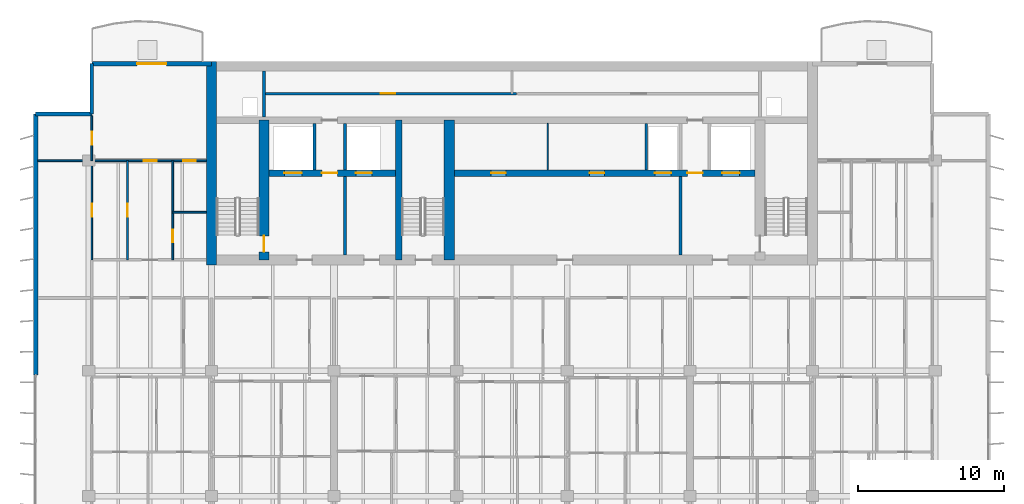
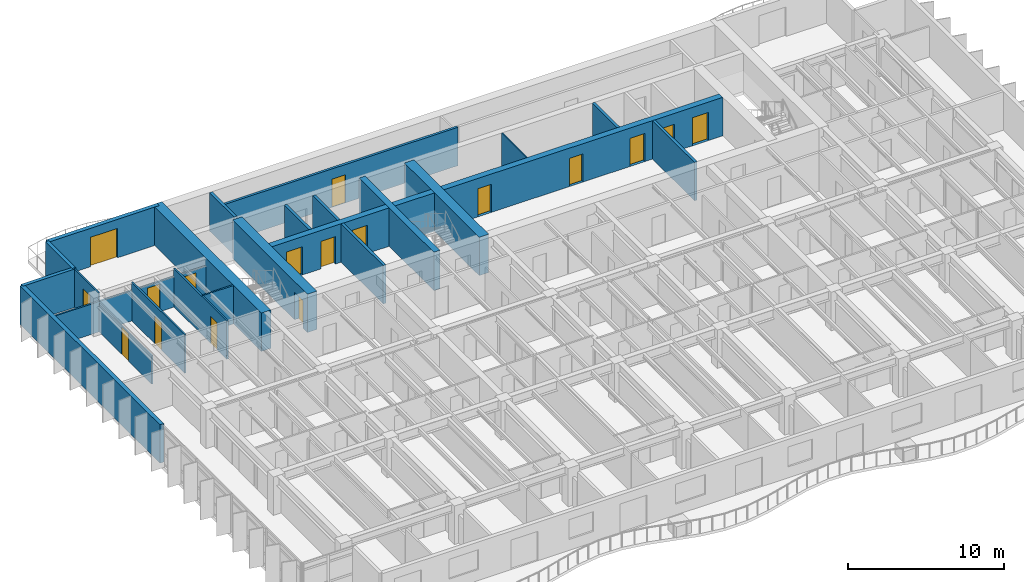
# One storey, part 13 of 19: 23 walls, 17 doors, 17 openings.
"""IFC4 building model written with IfcOpenShell, lengths in metres."""

import ifcopenshell
import ifcopenshell.guid

model = None  # the IFC model being written
_history = None  # IfcOwnerHistory: only IFC2X3 demands one
_inside = {}  # id of a spatial element -> (the spatial element, [elements in it])
_under = {}  # id of a project, library or spatial element -> (it, [spatial elements below it])
_declared = {}  # id of a project -> (the project, [libraries it declares])
_typed = {}  # id of a type object -> (the type object, [elements of that type])
_made_of = {}  # id of a material, layer set ... -> (it, [elements and type objects made of it])


def new_model(schema):
    """Start an empty IFC model of exactly this schema.

    Asked for "IFC4X3", IfcOpenShell would pick the latest addendum, in which some entities
    have other attributes; the version numbers below select the first issue.
    IFC2X3 requires an IfcOwnerHistory on every rooted entity: one is made here for all.
    """
    global model, _history
    if schema == "IFC4X3":
        model = ifcopenshell.file(schema_version=(4, 3, 0, 0))
    else:
        model = ifcopenshell.file(schema=schema)
    _inside.clear()
    _under.clear()
    _declared.clear()
    _typed.clear()
    _made_of.clear()
    _history = None
    if model.schema == "IFC2X3":
        org = make("IfcOrganization", Name="unknown")
        user = make(
            "IfcPersonAndOrganization",
            ThePerson=make("IfcPerson", FamilyName="unknown"),
            TheOrganization=org,
        )
        app = make(
            "IfcApplication",
            ApplicationDeveloper=org,
            Version="unknown",
            ApplicationFullName="unknown",
            ApplicationIdentifier="unknown",
        )
        _history = make(
            "IfcOwnerHistory",
            OwningUser=user,
            OwningApplication=app,
            ChangeAction="ADDED",
            CreationDate=0,
        )
    return model


def make(cls, **values):
    """One entity of the class cls with the attributes given. An attribute that is None is left unset."""
    return model.create_entity(
        cls, **{name: value for name, value in values.items() if value is not None}
    )


def rooted(cls, **values):
    """An entity with a GlobalId (a new one), such as an element, a storey or a relation."""
    return make(cls, GlobalId=ifcopenshell.guid.new(), OwnerHistory=_history, **values)


def si_unit(unit_type, name, prefix=None):
    """IfcSIUnit, for example si_unit("LENGTHUNIT", "METRE", prefix="MILLI")."""
    return make("IfcSIUnit", UnitType=unit_type, Prefix=prefix, Name=name)


def assignment(units):
    """IfcUnitAssignment: the units of a project."""
    return None if units is None else make("IfcUnitAssignment", Units=units)


def point(xyz):
    """IfcCartesianPoint."""
    return None if xyz is None else make("IfcCartesianPoint", Coordinates=xyz)


def direction(xyz):
    """IfcDirection."""
    return None if xyz is None else make("IfcDirection", DirectionRatios=xyz)


def frame(location, z_axis=None, x_axis=None):
    """IfcAxis2Placement3D, a coordinate frame: its origin and axes. An axis left out is left unset."""
    return make(
        "IfcAxis2Placement3D",
        Location=point(location),
        Axis=direction(z_axis),
        RefDirection=direction(x_axis),
    )


def frame_2d(location, x_axis=None):
    """IfcAxis2Placement2D, a coordinate frame in the plane: its origin and x axis."""
    return make(
        "IfcAxis2Placement2D", Location=point(location), RefDirection=direction(x_axis)
    )


def origin():
    """The frame at (0, 0, 0) with its axes left unset."""
    return frame((0.0, 0.0, 0.0))


def place(relative_to, where):
    """IfcLocalPlacement: puts the frame where relative to a parent placement (None: the world)."""
    return make(
        "IfcLocalPlacement", PlacementRelTo=relative_to, RelativePlacement=where
    )


def context(
    kind, dimensions, precision=None, world=None, true_north=None, identifier=None
):
    """IfcGeometricRepresentationContext, for example the 3D "Model" context."""
    return make(
        "IfcGeometricRepresentationContext",
        ContextIdentifier=identifier,
        ContextType=kind,
        CoordinateSpaceDimension=dimensions,
        Precision=precision,
        WorldCoordinateSystem=world,
        TrueNorth=true_north,
    )


def subcontext(parent, identifier, kind, view, scale=None):
    """IfcGeometricRepresentationSubContext, for example "Body" below "Model"."""
    return make(
        "IfcGeometricRepresentationSubContext",
        ContextIdentifier=identifier,
        ContextType=kind,
        ParentContext=parent,
        TargetScale=scale,
        TargetView=view,
    )


def project(units=None, contexts=None):
    """IfcProject with its units and contexts."""
    return rooted(
        "IfcProject",
        Name="project",
        RepresentationContexts=contexts,
        UnitsInContext=assignment(units),
    )


def spatial(cls, under=None, at=None, **own):
    """A site, building, storey or space (cls), placed at a placement, below another one or the project."""
    s = rooted(cls, ObjectPlacement=at, **own)
    if under is not None:
        _under.setdefault(under.id(), (under, []))[1].append(s)
    return s


def profile(cls, at=None, kind="AREA", **sizes):
    """A parametric profile (cls). Its sizes go by their IFC names, for example OverallWidth=200.0."""
    return make(cls, ProfileType=kind, Position=at, **sizes)


def rectangle(**sizes):
    """IfcRectangleProfileDef."""
    return profile("IfcRectangleProfileDef", **sizes)


def extrude(swept, where, along, depth):
    """IfcExtrudedAreaSolid: the profile swept, set in the frame where, extruded along a direction by depth."""
    return make(
        "IfcExtrudedAreaSolid",
        SweptArea=swept,
        Position=where,
        ExtrudedDirection=direction(along),
        Depth=depth,
    )


def shape(context_of_items, identifier, shape_type, items):
    """IfcShapeRepresentation: the items that make up one representation, for example the "Body"."""
    return make(
        "IfcShapeRepresentation",
        ContextOfItems=context_of_items,
        RepresentationIdentifier=identifier,
        RepresentationType=shape_type,
        Items=items,
    )


def material(Name=None, Category=None):
    """IfcMaterial."""
    return make("IfcMaterial", Name=Name, Category=Category)


def layer(
    of_material, thickness, ventilated=None, Name=None, Category=None, Priority=None
):
    """IfcMaterialLayer: one layer of a wall or slab, of a material (None: an air gap)."""
    return make(
        "IfcMaterialLayer",
        Material=of_material,
        LayerThickness=thickness,
        IsVentilated=ventilated,
        Name=Name,
        Category=Category,
        Priority=Priority,
    )


def layer_set(layers, Name=None):
    """IfcMaterialLayerSet."""
    return make("IfcMaterialLayerSet", MaterialLayers=layers, LayerSetName=Name)


def made_of(thing, what):
    """Note that an element or type object is made of a material, layer set ...; save() writes the relation."""
    if what is not None:
        _made_of.setdefault(what.id(), (what, []))[1].append(thing)
    return thing


def type_object(cls, material=None, **own):
    """A type object (cls), such as IfcWallType, which elements share."""
    return made_of(rooted(cls, **own), material)


def element(
    cls,
    number,
    at=None,
    inside=None,
    cuts=None,
    type_object=None,
    material=None,
    context=None,
    identifier="Body",
    shape_type=None,
    held_by="IfcProductDefinitionShape",
    body=None,
    shapes=None,
    **own,
):
    """One element of the class cls, such as IfcWall. Its Tag is "e" and its number.

    at: its placement. inside: the storey or other place that contains it. cuts: it is an
    opening in that element (IfcRelVoidsElement). A single representation is given by context,
    identifier, shape_type and body (its items); several are given by shapes. held_by: the class
    of the entity that holds the representations. save() writes the other relations.
    """
    e = rooted(cls, Tag="e%d" % number, ObjectPlacement=at, **own)
    if body is not None:
        shapes = [shape(context, identifier, shape_type, body)]
    if shapes is not None:
        e.Representation = make(held_by, Representations=shapes)
    if inside is not None:
        _inside.setdefault(inside.id(), (inside, []))[1].append(e)
    if cuts is not None:
        rooted(
            "IfcRelVoidsElement", RelatingBuildingElement=cuts, RelatedOpeningElement=e
        )
    if type_object is not None:
        _typed.setdefault(type_object.id(), (type_object, []))[1].append(e)
    return made_of(e, material)


def fill(opening, filler):
    """IfcRelFillsElement: the door or window that sits in an opening."""
    return rooted(
        "IfcRelFillsElement",
        RelatingOpeningElement=opening,
        RelatedBuildingElement=filler,
    )


def aggregate(whole, parts):
    """IfcRelAggregates: a whole, such as a stair, and the parts it consists of."""
    return rooted("IfcRelAggregates", RelatingObject=whole, RelatedObjects=parts)


def save(model, path):
    """Write the relations noted so far, then the file.

    IfcRelAggregates (storeys below a building ...), IfcRelContainedInSpatialStructure (elements
    in a storey), IfcRelDefinesByType, IfcRelAssociatesMaterial and IfcRelDeclares: one each for
    every whole, place, type object, material and project.
    """
    for whole, parts in _under.values():
        aggregate(whole, parts)
    for where, things in _inside.values():
        rooted(
            "IfcRelContainedInSpatialStructure",
            RelatedElements=things,
            RelatingStructure=where,
        )
    for kind, things in _typed.values():
        rooted("IfcRelDefinesByType", RelatedObjects=things, RelatingType=kind)
    for what, things in _made_of.values():
        rooted("IfcRelAssociatesMaterial", RelatedObjects=things, RelatingMaterial=what)
    for by, libraries in _declared.values():
        rooted("IfcRelDeclares", RelatingContext=by, RelatedDefinitions=libraries)
    model.write(path)


model = new_model("IFC4")

# Units and contexts
model_context = context("Model", 3, precision=1e-05, world=origin(), true_north=direction((0.0, 1.0)))
body_context = subcontext(model_context, "Body", "Model", "MODEL_VIEW")
ifc_project = project(units=[si_unit("LENGTHUNIT", "METRE"), si_unit("AREAUNIT", "SQUARE_METRE"), si_unit("VOLUMEUNIT", "CUBIC_METRE"), si_unit("PLANEANGLEUNIT", "RADIAN"), si_unit("MASSUNIT", "GRAM", prefix="KILO")], contexts=[model_context])

# Site, building, storey
site_placement = place(None, origin())
site = spatial("IfcSite", under=ifc_project, at=site_placement, CompositionType="ELEMENT")
building_placement = place(site_placement, origin())
building = spatial("IfcBuilding", under=site, at=building_placement, Name="Caelmar Bay Residences", CompositionType="ELEMENT")
storey_placement = place(building_placement, frame((0.0, 0.0, 218.10009765625)))
storey = spatial("IfcBuildingStorey", under=building, at=storey_placement, Name="L61", CompositionType="ELEMENT", Elevation=218.10009765625)

# Wall
ifc_material_1 = material(Name="Concrete f'c 55 MPa (8,000 psi)", Category="concrete")
ifc_layer_1 = layer(ifc_material_1, 0.699951171875)
ifc_layer_set_1 = layer_set([ifc_layer_1], Name="Concrete f'c 55 MPa (8,000 psi)")
wall_type_1 = type_object("IfcWallType", Name="SW-COR-700", PredefinedType="SHEAR", material=ifc_layer_set_1)
wall_1_placement = place(storey_placement, frame((18.300048828125, 36.64990234375, 0.0), z_axis=(0.0, 0.0, 1.0), x_axis=(0.0, 1.0, 0.0)))
element("IfcWall", 1, at=wall_1_placement, inside=storey, type_object=wall_type_1, Name="L61 Rear Core West Shear Wall", PredefinedType="SHEAR", context=body_context, shape_type="SweptSolid", body=[
    extrude(rectangle(XDim=13.9501953125, YDim=0.699951171875, at=frame_2d((6.97509765625, 0.0))), origin(), (0.0, 0.0, 1.0), 3.0),
])

# Wall, opening, door
wall_2_placement = place(storey_placement, frame((21.89990234375, 37.0, 0.0), z_axis=(0.0, 0.0, 1.0), x_axis=(0.0, 1.0, 0.0)))
wall_2 = element("IfcWall", 2, at=wall_2_placement, inside=storey, type_object=wall_type_1, Name="L61 Core Structural Web Wall ST1E", PredefinedType="SHEAR", context=body_context, shape_type="SweptSolid", body=[
    extrude(rectangle(XDim=9.574951171875, YDim=0.699951171875, at=frame_2d((4.78759765625, 0.0))), origin(), (0.0, 0.0, 1.0), 3.0),
])
opening_1_placement = place(wall_2_placement, frame((0.550048828125, 0.0, 0.0)))
opening_1 = element("IfcOpeningElement", 3, at=opening_1_placement, cuts=wall_2, Name="Opening D-L61-107", PredefinedType="OPENING", context=body_context, shape_type="SweptSolid", body=[
    extrude(rectangle(XDim=1.10009765625, YDim=2.14990234375, at=frame_2d((0.550048828125, 1.074951171875))), frame((0.0, 0.35986328125, 0.0), z_axis=(0.0, -1.0, 0.0), x_axis=(1.0, 0.0, 0.0)), (0.0, 0.0, 1.0), 0.719970703125),
])
ifc_material_2 = material(Name="Fire-rated steel and walnut architectural door assembly", Category="steel")
ifc_layer_2 = layer(ifc_material_2, 0.050048828125)
ifc_layer_set_2 = layer_set([ifc_layer_2], Name="Fire-rated steel and walnut architectural door assembly")
door_type_1 = type_object("IfcDoorType", Name="D-STAIR-1100", OperationType="NOTDEFINED", PredefinedType="DOOR", material=ifc_layer_set_2)
door_1_placement = place(opening_1_placement, origin())
door_1 = element("IfcDoor", 4, at=door_1_placement, inside=storey, type_object=door_type_1, Name="L61 Firefighting Lobby West Door", OperationType="SINGLE_SWING_LEFT", OverallHeight=2.14990234375, OverallWidth=1.10009765625, PredefinedType="DOOR", context=body_context, shape_type="SweptSolid", body=[
    extrude(rectangle(XDim=1.10009765625, YDim=2.14990234375, at=frame_2d((0.550048828125, 1.074951171875))), frame((0.0, 0.02490234375, 0.0), z_axis=(0.0, -1.0, 0.0), x_axis=(1.0, 0.0, 0.0)), (0.0, 0.0, 1.0), 0.050048828125),
])
fill(opening_1, door_1)

# Walls
wall_3_placement = place(storey_placement, frame((34.60009765625, 37.0, 0.0), z_axis=(0.0, 0.0, 1.0), x_axis=(0.0, 1.0, 0.0)))
element("IfcWall", 5, at=wall_3_placement, inside=storey, type_object=wall_type_1, Name="L61 Core Structural Web Wall ST3E", PredefinedType="SHEAR", context=body_context, shape_type="SweptSolid", body=[
    extrude(rectangle(XDim=9.574951171875, YDim=0.699951171875, at=frame_2d((4.78759765625, 0.0))), origin(), (0.0, 0.0, 1.0), 3.0),
])
ifc_material_3 = material(Name="Concrete f'c 70 MPa (10,000 psi)", Category="concrete")
ifc_layer_3 = layer(ifc_material_3, 0.449951171875)
ifc_layer_set_3 = layer_set([ifc_layer_3], Name="Concrete f'c 70 MPa (10,000 psi)")
wall_type_2 = type_object("IfcWallType", Name="SW-WEB-450", PredefinedType="SHEAR", material=ifc_layer_set_3)
wall_4_placement = place(storey_placement, frame((31.125, 37.0, 0.0), z_axis=(0.0, 0.0, 1.0), x_axis=(0.0, 1.0, 0.0)))
element("IfcWall", 6, at=wall_4_placement, inside=storey, type_object=wall_type_2, Name="L61 Core Structural Web Wall ST3W", PredefinedType="SHEAR", context=body_context, shape_type="SweptSolid", body=[
    extrude(rectangle(XDim=9.574951171875, YDim=0.449951171875, at=frame_2d((4.78759765625, 0.0))), origin(), (0.0, 0.0, 1.0), 3.0),
])

# Wall, openings, doors
wall_5_placement = place(storey_placement, frame((22.25, 42.949951171875, 0.0), z_axis=(0.0, 0.0, 1.0), x_axis=(1.0, 0.0, 0.0)))
wall_5 = element("IfcWall", 7, at=wall_5_placement, inside=storey, type_object=wall_type_2, Name="L61 Core Structural Web Wall LFR", PredefinedType="SHEAR", context=body_context, shape_type="SweptSolid", body=[
    extrude(rectangle(XDim=33.300048828125, YDim=0.449951171875, at=frame_2d((16.64990234375, 0.0))), origin(), (0.0, 0.0, 1.0), 3.0),
])
opening_2_placement = place(wall_5_placement, frame((1.050048828125, 0.0, 0.0)))
opening_2 = element("IfcOpeningElement", 8, at=opening_2_placement, cuts=wall_5, Name="Opening LD2", PredefinedType="OPENING", context=body_context, shape_type="SweptSolid", body=[
    extrude(rectangle(XDim=1.199951171875, YDim=2.199951171875, at=frame_2d((0.60009765625, 1.10009765625))), frame((0.0, 0.23486328125, 0.0), z_axis=(0.0, -1.0, 0.0), x_axis=(1.0, 0.0, 0.0)), (0.0, 0.0, 1.0), 0.469970703125),
])
opening_3_placement = place(wall_5_placement, frame((31.050048828125, 0.0, 0.0)))
opening_3 = element("IfcOpeningElement", 9, at=opening_3_placement, cuts=wall_5, Name="Opening LD2", PredefinedType="OPENING", context=body_context, shape_type="SweptSolid", body=[
    extrude(rectangle(XDim=1.199951171875, YDim=2.199951171875, at=frame_2d((0.60009765625, 1.10009765625))), frame((0.0, 0.23486328125, 0.0), z_axis=(0.0, -1.0, 0.0), x_axis=(1.0, 0.0, 0.0)), (0.0, 0.0, 1.0), 0.469970703125),
])
opening_4_placement = place(wall_5_placement, frame((26.449951171875, 0.0, 0.0)))
opening_4 = element("IfcOpeningElement", 10, at=opening_4_placement, cuts=wall_5, Name="Opening LD1", PredefinedType="OPENING", context=body_context, shape_type="SweptSolid", body=[
    extrude(rectangle(XDim=1.10009765625, YDim=2.199951171875, at=frame_2d((0.550048828125, 1.10009765625))), frame((0.0, 0.23486328125, 0.0), z_axis=(0.0, -1.0, 0.0), x_axis=(1.0, 0.0, 0.0)), (0.0, 0.0, 1.0), 0.469970703125),
])
opening_5_placement = place(wall_5_placement, frame((5.949951171875, 0.0, 0.0)))
opening_5 = element("IfcOpeningElement", 11, at=opening_5_placement, cuts=wall_5, Name="Opening LD1", PredefinedType="OPENING", context=body_context, shape_type="SweptSolid", body=[
    extrude(rectangle(XDim=1.10009765625, YDim=2.199951171875, at=frame_2d((0.550048828125, 1.10009765625))), frame((0.0, 0.23486328125, 0.0), z_axis=(0.0, -1.0, 0.0), x_axis=(1.0, 0.0, 0.0)), (0.0, 0.0, 1.0), 0.469970703125),
])
opening_6_placement = place(wall_5_placement, frame((3.625, 0.0, 0.0)))
opening_6 = element("IfcOpeningElement", 12, at=opening_6_placement, cuts=wall_5, Name="Opening D-L61-108", PredefinedType="OPENING", context=body_context, shape_type="SweptSolid", body=[
    extrude(rectangle(XDim=1.050048828125, YDim=2.14990234375, at=frame_2d((0.52490234375, 1.074951171875))), frame((0.0, 0.23486328125, 0.0), z_axis=(0.0, -1.0, 0.0), x_axis=(1.0, 0.0, 0.0)), (0.0, 0.0, 1.0), 0.469970703125),
])
opening_7_placement = place(wall_5_placement, frame((28.675048828125, 0.0, 0.0)))
opening_7 = element("IfcOpeningElement", 13, at=opening_7_placement, cuts=wall_5, Name="Opening D-L61-111", PredefinedType="OPENING", context=body_context, shape_type="SweptSolid", body=[
    extrude(rectangle(XDim=1.050048828125, YDim=2.14990234375, at=frame_2d((0.52490234375, 1.074951171875))), frame((0.0, 0.23486328125, 0.0), z_axis=(0.0, -1.0, 0.0), x_axis=(1.0, 0.0, 0.0)), (0.0, 0.0, 1.0), 0.469970703125),
])
opening_8_placement = place(wall_5_placement, frame((15.22509765625, 0.0, 0.0)))
opening_8 = element("IfcOpeningElement", 14, at=opening_8_placement, cuts=wall_5, Name="Opening D-L61-114", PredefinedType="OPENING", context=body_context, shape_type="SweptSolid", body=[
    extrude(rectangle(XDim=1.0, YDim=2.199951171875, at=frame_2d((0.5, 1.10009765625))), frame((0.0, 0.23486328125, 0.0), z_axis=(0.0, -1.0, 0.0), x_axis=(1.0, 0.0, 0.0)), (0.0, 0.0, 1.0), 0.469970703125),
])
opening_9_placement = place(wall_5_placement, frame((21.97509765625, 0.0, 0.0)))
opening_9 = element("IfcOpeningElement", 15, at=opening_9_placement, cuts=wall_5, Name="Opening D-L61-115", PredefinedType="OPENING", context=body_context, shape_type="SweptSolid", body=[
    extrude(rectangle(XDim=1.0, YDim=2.199951171875, at=frame_2d((0.5, 1.10009765625))), frame((0.0, 0.23486328125, 0.0), z_axis=(0.0, -1.0, 0.0), x_axis=(1.0, 0.0, 0.0)), (0.0, 0.0, 1.0), 0.469970703125),
])
ifc_layer_4 = layer(ifc_material_2, 0.050048828125)
ifc_layer_set_4 = layer_set([ifc_layer_4], Name="Fire-rated steel and walnut architectural door assembly")
door_type_2 = type_object("IfcDoorType", Name="D-FSAE-1050", OperationType="NOTDEFINED", PredefinedType="DOOR", material=ifc_layer_set_4)
door_2_placement = place(opening_6_placement, origin())
door_2 = element("IfcDoor", 16, at=door_2_placement, inside=storey, type_object=door_type_2, Name="L61 Firefighting Lobby West Door", OperationType="SINGLE_SWING_RIGHT", OverallHeight=2.14990234375, OverallWidth=1.050048828125, PredefinedType="DOOR", context=body_context, shape_type="SweptSolid", body=[
    extrude(rectangle(XDim=1.050048828125, YDim=2.14990234375, at=frame_2d((0.52490234375, 1.074951171875))), frame((0.0, 0.02490234375, 0.0), z_axis=(0.0, -1.0, 0.0), x_axis=(1.0, 0.0, 0.0)), (0.0, 0.0, 1.0), 0.050048828125),
])
fill(opening_6, door_2)
door_3_placement = place(opening_7_placement, origin())
door_3 = element("IfcDoor", 17, at=door_3_placement, inside=storey, type_object=door_type_2, Name="L61 Firefighting Lobby East Door", OperationType="SINGLE_SWING_LEFT", OverallHeight=2.14990234375, OverallWidth=1.050048828125, PredefinedType="DOOR", context=body_context, shape_type="SweptSolid", body=[
    extrude(rectangle(XDim=1.050048828125, YDim=2.14990234375, at=frame_2d((0.52490234375, 1.074951171875))), frame((0.0, 0.02490234375, 0.0), z_axis=(0.0, -1.0, 0.0), x_axis=(1.0, 0.0, 0.0)), (0.0, 0.0, 1.0), 0.050048828125),
])
fill(opening_7, door_3)
ifc_material_4 = material(Name="Brushed bronze stainless-steel fire-rated lift landing doors", Category="steel")
ifc_layer_5 = layer(ifc_material_4, 0.050048828125)
ifc_layer_set_5 = layer_set([ifc_layer_5], Name="Brushed bronze stainless-steel fire-rated lift landing doors")
door_type_3 = type_object("IfcDoorType", Name="D-LND-1100", OperationType="DOUBLE_DOOR_SLIDING", PredefinedType="DOOR", material=ifc_layer_set_5)
door_4_placement = place(opening_4_placement, origin())
door_4 = element("IfcDoor", 18, at=door_4_placement, inside=storey, type_object=door_type_3, Name="L61 LP6 Sliding Landing Door", OperationType="DOUBLE_DOOR_SLIDING", OverallHeight=2.199951171875, OverallWidth=1.10009765625, PredefinedType="DOOR", context=body_context, shape_type="SweptSolid", body=[
    extrude(rectangle(XDim=1.10009765625, YDim=2.199951171875, at=frame_2d((0.550048828125, 1.10009765625))), frame((0.0, 0.02490234375, 0.0), z_axis=(0.0, -1.0, 0.0), x_axis=(1.0, 0.0, 0.0)), (0.0, 0.0, 1.0), 0.050048828125),
])
fill(opening_4, door_4)
door_5_placement = place(opening_5_placement, origin())
door_5 = element("IfcDoor", 19, at=door_5_placement, inside=storey, type_object=door_type_3, Name="L61 LP7 Sliding Landing Door", OperationType="DOUBLE_DOOR_SLIDING", OverallHeight=2.199951171875, OverallWidth=1.10009765625, PredefinedType="DOOR", context=body_context, shape_type="SweptSolid", body=[
    extrude(rectangle(XDim=1.10009765625, YDim=2.199951171875, at=frame_2d((0.550048828125, 1.10009765625))), frame((0.0, 0.02490234375, 0.0), z_axis=(0.0, -1.0, 0.0), x_axis=(1.0, 0.0, 0.0)), (0.0, 0.0, 1.0), 0.050048828125),
])
fill(opening_5, door_5)
ifc_material_5 = material(Name="Brushed stainless-steel FSAE sliding landing door", Category="steel")
ifc_layer_6 = layer(ifc_material_5, 0.050048828125)
ifc_layer_set_6 = layer_set([ifc_layer_6], Name="Brushed stainless-steel FSAE sliding landing door")
door_type_4 = type_object("IfcDoorType", Name="D-LND-1200", OperationType="DOUBLE_DOOR_SLIDING", PredefinedType="DOOR", material=ifc_layer_set_6)
door_6_placement = place(opening_2_placement, origin())
door_6 = element("IfcDoor", 20, at=door_6_placement, inside=storey, type_object=door_type_4, Name="L61 LF1 Sliding Landing Door", OperationType="DOUBLE_DOOR_SLIDING", OverallHeight=2.199951171875, OverallWidth=1.199951171875, PredefinedType="DOOR", context=body_context, shape_type="SweptSolid", body=[
    extrude(rectangle(XDim=1.199951171875, YDim=2.199951171875, at=frame_2d((0.60009765625, 1.10009765625))), frame((0.0, 0.02490234375, 0.0), z_axis=(0.0, -1.0, 0.0), x_axis=(1.0, 0.0, 0.0)), (0.0, 0.0, 1.0), 0.050048828125),
])
fill(opening_2, door_6)
door_7_placement = place(opening_3_placement, origin())
door_7 = element("IfcDoor", 21, at=door_7_placement, inside=storey, type_object=door_type_4, Name="L61 LF2 Sliding Landing Door", OperationType="DOUBLE_DOOR_SLIDING", OverallHeight=2.199951171875, OverallWidth=1.199951171875, PredefinedType="DOOR", context=body_context, shape_type="SweptSolid", body=[
    extrude(rectangle(XDim=1.199951171875, YDim=2.199951171875, at=frame_2d((0.60009765625, 1.10009765625))), frame((0.0, 0.02490234375, 0.0), z_axis=(0.0, -1.0, 0.0), x_axis=(1.0, 0.0, 0.0)), (0.0, 0.0, 1.0), 0.050048828125),
])
fill(opening_3, door_7)
ifc_layer_7 = layer(ifc_material_2, 0.050048828125)
ifc_layer_set_7 = layer_set([ifc_layer_7], Name="Fire-rated steel and walnut architectural door assembly")
door_type_5 = type_object("IfcDoorType", Name="D-UNIT-1000", OperationType="NOTDEFINED", PredefinedType="DOOR", material=ifc_layer_set_7)
door_8_placement = place(opening_8_placement, origin())
door_8 = element("IfcDoor", 22, at=door_8_placement, inside=storey, type_object=door_type_5, Name="L61 Collector Study Door", OperationType="SINGLE_SWING_RIGHT", OverallHeight=2.199951171875, OverallWidth=1.0, PredefinedType="DOOR", context=body_context, shape_type="SweptSolid", body=[
    extrude(rectangle(XDim=1.0, YDim=2.199951171875, at=frame_2d((0.5, 1.10009765625))), frame((0.0, 0.02490234375, 0.0), z_axis=(0.0, -1.0, 0.0), x_axis=(1.0, 0.0, 0.0)), (0.0, 0.0, 1.0), 0.050048828125),
])
fill(opening_8, door_8)
door_9_placement = place(opening_9_placement, origin())
door_9 = element("IfcDoor", 23, at=door_9_placement, inside=storey, type_object=door_type_5, Name="L61 Private Dining Room Door", OperationType="SINGLE_SWING_LEFT", OverallHeight=2.199951171875, OverallWidth=1.0, PredefinedType="DOOR", context=body_context, shape_type="SweptSolid", body=[
    extrude(rectangle(XDim=1.0, YDim=2.199951171875, at=frame_2d((0.5, 1.10009765625))), frame((0.0, 0.02490234375, 0.0), z_axis=(0.0, -1.0, 0.0), x_axis=(1.0, 0.0, 0.0)), (0.0, 0.0, 1.0), 0.050048828125),
])
fill(opening_9, door_9)

# Wall, opening, door
ifc_material_6 = material(Name="Double-stud acoustic fire-rated gypsum partition 180 mm")
ifc_layer_8 = layer(ifc_material_6, 0.179931640625)
ifc_layer_set_8 = layer_set([ifc_layer_8], Name="Double-stud acoustic fire-rated gypsum partition 180 mm")
wall_type_3 = type_object("IfcWallType", Name="W-COR-200", PredefinedType="PARTITIONING", material=ifc_layer_set_8)
wall_6_placement = place(storey_placement, frame((21.89990234375, 48.39990234375, 0.0), z_axis=(0.0, 0.0, 1.0), x_axis=(1.0, 0.0, 0.0)))
wall_6 = element("IfcWall", 24, at=wall_6_placement, inside=storey, type_object=wall_type_3, Name="L61 Partition Wall H136", PredefinedType="PARTITIONING", context=body_context, shape_type="SweptSolid", body=[
    extrude(rectangle(XDim=17.30419921875, YDim=0.179931640625, at=frame_2d((8.652099609375, 0.0))), origin(), (0.0, 0.0, 1.0), 3.0),
])
opening_10_placement = place(wall_6_placement, frame((8.0, 0.0, 0.0)))
opening_10 = element("IfcOpeningElement", 25, at=opening_10_placement, cuts=wall_6, Name="Opening D-L61-118", PredefinedType="OPENING", context=body_context, shape_type="SweptSolid", body=[
    extrude(rectangle(XDim=1.0, YDim=2.199951171875, at=frame_2d((0.5, 1.10009765625))), frame((0.0, 0.099853515625, 0.0), z_axis=(0.0, -1.0, 0.0), x_axis=(1.0, 0.0, 0.0)), (0.0, 0.0, 1.0), 0.199951171875),
])
door_10_placement = place(opening_10_placement, origin())
door_10 = element("IfcDoor", 26, at=door_10_placement, inside=storey, type_object=door_type_5, Name="L61 Building Management Office Door", OperationType="SINGLE_SWING_RIGHT", OverallHeight=2.199951171875, OverallWidth=1.0, PredefinedType="DOOR", context=body_context, shape_type="SweptSolid", body=[
    extrude(rectangle(XDim=1.0, YDim=2.199951171875, at=frame_2d((0.5, 1.10009765625))), frame((0.0, 0.02490234375, 0.0), z_axis=(0.0, -1.0, 0.0), x_axis=(1.0, 0.0, 0.0)), (0.0, 0.0, 1.0), 0.050048828125),
])
fill(opening_10, door_10)

# Walls
ifc_material_7 = material(Name="Precast concrete f'c 40 MPa (6,000 psi)", Category="concrete")
ifc_layer_9 = layer(ifc_material_7, 0.25)
ifc_layer_set_9 = layer_set([ifc_layer_9], Name="Precast concrete f'c 40 MPa (6,000 psi)")
wall_type_4 = type_object("IfcWallType", Name="W-EXT-250", PredefinedType="ELEMENTEDWALL", material=ifc_layer_set_9)
wall_7_placement = place(storey_placement, frame((6.25, 47.0, 0.0), z_axis=(0.0, 0.0, 1.0), x_axis=(1.0, 0.0, 0.0)))
element("IfcWall", 27, at=wall_7_placement, inside=storey, type_object=wall_type_4, Name="L61 NNW-H Notch Wall", PredefinedType="ELEMENTEDWALL", context=body_context, shape_type="SweptSolid", body=[
    extrude(rectangle(XDim=3.85009765625, YDim=0.25, at=frame_2d((1.925048828125, 0.0))), origin(), (0.0, 0.0, 1.0), 3.0),
])
wall_8_placement = place(storey_placement, frame((10.10009765625, 47.0, 0.0), z_axis=(0.0, 0.0, 1.0), x_axis=(0.0, 1.0, 0.0)))
element("IfcWall", 28, at=wall_8_placement, inside=storey, type_object=wall_type_4, Name="L61 NNW-V Notch Wall", PredefinedType="ELEMENTEDWALL", context=body_context, shape_type="SweptSolid", body=[
    extrude(rectangle(XDim=3.449951171875, YDim=0.25, at=frame_2d((1.72509765625, 0.0))), origin(), (0.0, 0.0, 1.0), 3.0),
])
ifc_layer_10 = layer(ifc_material_7, 0.300048828125)
ifc_layer_set_10 = layer_set([ifc_layer_10], Name="Precast concrete f'c 40 MPa (6,000 psi)")
wall_type_5 = type_object("IfcWallType", Name="W-EXT-300", PredefinedType="STANDARD", material=ifc_layer_set_10)
wall_9_placement = place(storey_placement, frame((6.25, 29.10009765625, 0.0), z_axis=(0.0, 0.0, 1.0), x_axis=(0.0, 1.0, 0.0)))
element("IfcWall", 29, at=wall_9_placement, inside=storey, type_object=wall_type_5, Name="L61 West Rear Exterior Wall", PredefinedType="STANDARD", context=body_context, shape_type="SweptSolid", body=[
    extrude(rectangle(XDim=17.89990234375, YDim=0.300048828125, at=frame_2d((8.949951171875, 0.0))), origin(), (0.0, 0.0, 1.0), 3.0),
])

# Wall, opening, door
wall_10_placement = place(storey_placement, frame((10.10009765625, 50.449951171875, 0.0), z_axis=(0.0, 0.0, 1.0), x_axis=(1.0, 0.0, 0.0)))
wall_10 = element("IfcWall", 30, at=wall_10_placement, inside=storey, type_object=wall_type_5, Name="L61 North-West Wing Exterior Wall", PredefinedType="STANDARD", context=body_context, shape_type="SweptSolid", body=[
    extrude(rectangle(XDim=8.199951171875, YDim=0.300048828125, at=frame_2d((4.10009765625, 0.0))), origin(), (0.0, 0.0, 1.0), 3.0),
])
opening_11_placement = place(wall_10_placement, frame((3.10009765625, 0.0, 0.0)))
opening_11 = element("IfcOpeningElement", 31, at=opening_11_placement, cuts=wall_10, Name="Opening L61-BDNW", PredefinedType="OPENING", context=body_context, shape_type="SweptSolid", body=[
    extrude(rectangle(XDim=2.0, YDim=2.300048828125, at=frame_2d((1.0, 1.14990234375))), frame((0.0, 0.159912109375, 0.0), z_axis=(0.0, -1.0, 0.0), x_axis=(1.0, 0.0, 0.0)), (0.0, 0.0, 1.0), 0.320068359375),
])
ifc_material_8 = material(Name="Anodised bronze thermally broken sliding glass door", Category="glass")
ifc_layer_11 = layer(ifc_material_8, 0.050048828125)
ifc_layer_set_11 = layer_set([ifc_layer_11], Name="Anodised bronze thermally broken sliding glass door")
door_type_6 = type_object("IfcDoorType", Name="D-BAL-2000", OperationType="DOUBLE_DOOR_SLIDING", PredefinedType="DOOR", material=ifc_layer_set_11)
door_11_placement = place(opening_11_placement, origin())
door_11 = element("IfcDoor", 32, at=door_11_placement, inside=storey, type_object=door_type_6, Name="L61 North-West Balcony Door", OperationType="DOUBLE_DOOR_SLIDING", OverallHeight=2.300048828125, OverallWidth=2.0, PredefinedType="DOOR", context=body_context, shape_type="SweptSolid", body=[
    extrude(rectangle(XDim=2.0, YDim=2.300048828125, at=frame_2d((1.0, 1.14990234375))), frame((0.0, 0.02490234375, 0.0), z_axis=(0.0, -1.0, 0.0), x_axis=(1.0, 0.0, 0.0)), (0.0, 0.0, 1.0), 0.050048828125),
])
fill(opening_11, door_11)

# Walls
ifc_material_9 = material(Name="Fire-rated masonry and gypsum shaftliner assembly 200 mm", Category="masonry")
ifc_layer_12 = layer(ifc_material_9, 0.199951171875)
ifc_layer_set_12 = layer_set([ifc_layer_12], Name="Fire-rated masonry and gypsum shaftliner assembly 200 mm")
wall_type_6 = type_object("IfcWallType", Name="W-FSAE-200", PredefinedType="PARTITIONING", material=ifc_layer_set_12)
wall_11_placement = place(storey_placement, frame((21.89990234375, 46.794921875, 0.0), z_axis=(0.0, 0.0, 1.0), x_axis=(0.0, 1.0, 0.0)))
element("IfcWall", 33, at=wall_11_placement, inside=storey, type_object=wall_type_6, Name="L61 Partition Wall V023", PredefinedType="PARTITIONING", context=body_context, shape_type="SweptSolid", body=[
    extrude(rectangle(XDim=3.16015625, YDim=0.199951171875, at=frame_2d((1.580078125, 0.0))), origin(), (0.0, 0.0, 1.0), 3.0),
])
wall_12_placement = place(storey_placement, frame((25.35009765625, 43.169921875, 0.0), z_axis=(0.0, 0.0, 1.0), x_axis=(0.0, 1.0, 0.0)))
element("IfcWall", 34, at=wall_12_placement, inside=storey, type_object=wall_type_6, Name="L61 Partition Wall V030", PredefinedType="PARTITIONING", context=body_context, shape_type="SweptSolid", body=[
    extrude(rectangle(XDim=3.18505859375, YDim=0.199951171875, at=frame_2d((1.592529296875, 0.0))), origin(), (0.0, 0.0, 1.0), 3.0),
])
wall_13_placement = place(storey_placement, frame((27.449951171875, 37.344970703125, 0.0), z_axis=(0.0, 0.0, 1.0), x_axis=(0.0, 1.0, 0.0)))
element("IfcWall", 35, at=wall_13_placement, inside=storey, type_object=wall_type_6, Name="L61 Partition Wall V034", PredefinedType="PARTITIONING", context=body_context, shape_type="SweptSolid", body=[
    extrude(rectangle(XDim=5.385009765625, YDim=0.199951171875, at=frame_2d((2.6923828125, 0.0))), origin(), (0.0, 0.0, 1.0), 3.0),
])
for number, where, z_axis, x_axis, name in (
    (36, (27.449951171875, 43.169921875, 0.0), (0.0, 0.0, 1.0), (0.0, 1.0, 0.0), "L61 Partition Wall V035"),
    (37, (48.10009765625, 43.169921875, 0.0), (0.0, 0.0, 1.0), (0.0, 1.0, 0.0), "L61 Partition Wall V067"),
):
    element("IfcWall", number, at=place(storey_placement, frame(where, z_axis=z_axis, x_axis=x_axis)), inside=storey, type_object=wall_type_6, Name=name, PredefinedType="PARTITIONING", context=body_context, shape_type="SweptSolid", body=[
        extrude(rectangle(XDim=3.18505859375, YDim=0.199951171875, at=frame_2d((1.592529296875, 0.0))), origin(), (0.0, 0.0, 1.0), 3.0),
    ])
wall_14_placement = place(storey_placement, frame((50.449951171875, 37.344970703125, 0.0), z_axis=(0.0, 0.0, 1.0), x_axis=(0.0, 1.0, 0.0)))
element("IfcWall", 38, at=wall_14_placement, inside=storey, type_object=wall_type_6, Name="L61 Partition Wall V069", PredefinedType="PARTITIONING", context=body_context, shape_type="SweptSolid", body=[
    extrude(rectangle(XDim=5.385009765625, YDim=0.199951171875, at=frame_2d((2.6923828125, 0.0))), origin(), (0.0, 0.0, 1.0), 3.0),
])

# Wall, opening, door
ifc_material_10 = material(Name="Anodised bronze framed acoustic sliding study partition 100 mm")
ifc_layer_13 = layer(ifc_material_10, 0.10009765625)
ifc_layer_set_13 = layer_set([ifc_layer_13], Name="Anodised bronze framed acoustic sliding study partition 100 mm")
wall_type_7 = type_object("IfcWallType", Name="W-MOV-100", PredefinedType="MOVABLE", material=ifc_layer_set_13)
wall_15_placement = place(storey_placement, frame((10.10009765625, 37.0048828125, 0.0), z_axis=(0.0, 0.0, 1.0), x_axis=(0.0, 1.0, 0.0)))
wall_15 = element("IfcWall", 39, at=wall_15_placement, inside=storey, type_object=wall_type_7, Name="L61 Partition Wall V007", PredefinedType="MOVABLE", context=body_context, shape_type="SweptSolid", body=[
    extrude(rectangle(XDim=6.795166015625, YDim=0.10009765625, at=frame_2d((3.3974609375, 0.0))), origin(), (0.0, 0.0, 1.0), 2.212890625),
])
opening_12_placement = place(wall_15_placement, frame((2.947509765625, 0.0, 0.0)))
opening_12 = element("IfcOpeningElement", 40, at=opening_12_placement, cuts=wall_15, Name="Opening D-L61-175", PredefinedType="OPENING", context=body_context, shape_type="SweptSolid", body=[
    extrude(rectangle(XDim=0.89990234375, YDim=2.14990234375, at=frame_2d((0.449951171875, 1.074951171875))), frame((0.0, 0.06005859375, 0.0), z_axis=(0.0, -1.0, 0.0), x_axis=(1.0, 0.0, 0.0)), (0.0, 0.0, 1.0), 0.1201171875),
])
ifc_material_11 = material(Name="Solid walnut timber interior door leaf and frame", Category="wood")
ifc_layer_14 = layer(ifc_material_11, 0.050048828125)
ifc_layer_set_14 = layer_set([ifc_layer_14], Name="Solid walnut timber interior door leaf and frame")
door_type_7 = type_object("IfcDoorType", Name="D-ROOM-900", OperationType="NOTDEFINED", PredefinedType="DOOR", material=ifc_layer_set_14)
door_12_placement = place(opening_12_placement, origin())
door_12 = element("IfcDoor", 41, at=door_12_placement, inside=storey, type_object=door_type_7, Name="L61 Residence WA Sun Study Door", OperationType="SINGLE_SWING_LEFT", OverallHeight=2.14990234375, OverallWidth=0.89990234375, PredefinedType="DOOR", context=body_context, shape_type="SweptSolid", body=[
    extrude(rectangle(XDim=0.89990234375, YDim=2.14990234375, at=frame_2d((0.449951171875, 1.074951171875))), frame((0.0, 0.02490234375, 0.0), z_axis=(0.0, -1.0, 0.0), x_axis=(1.0, 0.0, 0.0)), (0.0, 0.0, 1.0), 0.050048828125),
])
fill(opening_12, door_12)

# Wall
wall_16_placement = place(storey_placement, frame((41.35009765625, 43.169921875, 0.0), z_axis=(0.0, 0.0, 1.0), x_axis=(0.0, 1.0, 0.0)))
element("IfcWall", 42, at=wall_16_placement, inside=storey, type_object=wall_type_7, Name="L61 Partition Wall V055", PredefinedType="MOVABLE", context=body_context, shape_type="SweptSolid", body=[
    extrude(rectangle(XDim=3.18505859375, YDim=0.10009765625, at=frame_2d((1.592529296875, 0.0))), origin(), (0.0, 0.0, 1.0), 3.0),
])

# Wall, opening, door
ifc_material_12 = material(Name="Acoustic metal-stud gypsum partition 120 mm")
ifc_layer_15 = layer(ifc_material_12, 0.1201171875)
ifc_layer_set_15 = layer_set([ifc_layer_15], Name="Acoustic metal-stud gypsum partition 120 mm")
wall_type_8 = type_object("IfcWallType", Name="W-PRT-120", PredefinedType="PARTITIONING", material=ifc_layer_set_15)
wall_17_placement = place(storey_placement, frame((10.10009765625, 43.804931640625, 0.0), z_axis=(0.0, 0.0, 1.0), x_axis=(0.0, 1.0, 0.0)))
wall_17 = element("IfcWall", 43, at=wall_17_placement, inside=storey, type_object=wall_type_8, Name="L61 Partition Wall V008", PredefinedType="PARTITIONING", context=body_context, shape_type="SweptSolid", body=[
    extrude(rectangle(XDim=3.074951171875, YDim=0.1201171875, at=frame_2d((1.53759765625, 0.0))), origin(), (0.0, 0.0, 1.0), 3.0),
])
opening_13_placement = place(wall_17_placement, frame((1.08740234375, 0.0, 0.0)))
opening_13 = element("IfcOpeningElement", 44, at=opening_13_placement, cuts=wall_17, Name="Opening D-L61-176", PredefinedType="OPENING", context=body_context, shape_type="SweptSolid", body=[
    extrude(rectangle(XDim=0.89990234375, YDim=2.14990234375, at=frame_2d((0.449951171875, 1.074951171875))), frame((0.0, 0.070068359375, 0.0), z_axis=(0.0, -1.0, 0.0), x_axis=(1.0, 0.0, 0.0)), (0.0, 0.0, 1.0), 0.14013671875),
])
door_13_placement = place(opening_13_placement, origin())
door_13 = element("IfcDoor", 45, at=door_13_placement, inside=storey, type_object=door_type_7, Name="L61 Residence WA North Sitting Alcove Door", OperationType="SINGLE_SWING_RIGHT", OverallHeight=2.14990234375, OverallWidth=0.89990234375, PredefinedType="DOOR", context=body_context, shape_type="SweptSolid", body=[
    extrude(rectangle(XDim=0.89990234375, YDim=2.14990234375, at=frame_2d((0.449951171875, 1.074951171875))), frame((0.0, 0.02490234375, 0.0), z_axis=(0.0, -1.0, 0.0), x_axis=(1.0, 0.0, 0.0)), (0.0, 0.0, 1.0), 0.050048828125),
])
fill(opening_13, door_13)

wall_18_placement = place(storey_placement, frame((12.5419921875, 37.0, 0.0), z_axis=(0.0, 0.0, 1.0), x_axis=(0.0, 1.0, 0.0)))
wall_18 = element("IfcWall", 46, at=wall_18_placement, inside=storey, type_object=wall_type_8, Name="L61 Partition Wall V009", PredefinedType="PARTITIONING", context=body_context, shape_type="SweptSolid", body=[
    extrude(rectangle(XDim=6.800048828125, YDim=0.1201171875, at=frame_2d((3.39990234375, 0.0))), origin(), (0.0, 0.0, 1.0), 3.0),
])
opening_14_placement = place(wall_18_placement, frame((2.949951171875, 0.0, 0.0)))
opening_14 = element("IfcOpeningElement", 47, at=opening_14_placement, cuts=wall_18, Name="Opening D-L61-170", PredefinedType="OPENING", context=body_context, shape_type="SweptSolid", body=[
    extrude(rectangle(XDim=0.89990234375, YDim=2.14990234375, at=frame_2d((0.449951171875, 1.074951171875))), frame((0.0, 0.070068359375, 0.0), z_axis=(0.0, -1.0, 0.0), x_axis=(1.0, 0.0, 0.0)), (0.0, 0.0, 1.0), 0.14013671875),
])
door_14_placement = place(opening_14_placement, origin())
door_14 = element("IfcDoor", 48, at=door_14_placement, inside=storey, type_object=door_type_7, Name="L61 Residence WA Dining Room Door", OperationType="SINGLE_SWING_RIGHT", OverallHeight=2.14990234375, OverallWidth=0.89990234375, PredefinedType="DOOR", context=body_context, shape_type="SweptSolid", body=[
    extrude(rectangle(XDim=0.89990234375, YDim=2.14990234375, at=frame_2d((0.449951171875, 1.074951171875))), frame((0.0, 0.02490234375, 0.0), z_axis=(0.0, -1.0, 0.0), x_axis=(1.0, 0.0, 0.0)), (0.0, 0.0, 1.0), 0.050048828125),
])
fill(opening_14, door_14)

wall_19_placement = place(storey_placement, frame((15.64990234375, 37.0, 0.0), z_axis=(0.0, 0.0, 1.0), x_axis=(0.0, 1.0, 0.0)))
wall_19 = element("IfcWall", 49, at=wall_19_placement, inside=storey, type_object=wall_type_8, Name="L61 Partition Wall V015", PredefinedType="PARTITIONING", context=body_context, shape_type="SweptSolid", body=[
    extrude(rectangle(XDim=6.800048828125, YDim=0.1201171875, at=frame_2d((3.39990234375, 0.0))), origin(), (0.0, 0.0, 1.0), 3.0),
])
opening_15_placement = place(wall_19_placement, frame((1.20703125, 0.0, 0.0)))
opening_15 = element("IfcOpeningElement", 50, at=opening_15_placement, cuts=wall_19, Name="Opening D-L61-173", PredefinedType="OPENING", context=body_context, shape_type="SweptSolid", body=[
    extrude(rectangle(XDim=0.85009765625, YDim=2.10009765625, at=frame_2d((0.425048828125, 1.050048828125))), frame((0.0, 0.070068359375, 0.0), z_axis=(0.0, -1.0, 0.0), x_axis=(1.0, 0.0, 0.0)), (0.0, 0.0, 1.0), 0.14013671875),
])
ifc_layer_16 = layer(ifc_material_11, 0.050048828125)
ifc_layer_set_16 = layer_set([ifc_layer_16], Name="Solid walnut timber interior door leaf and frame")
door_type_8 = type_object("IfcDoorType", Name="D-BATH-850", OperationType="NOTDEFINED", PredefinedType="DOOR", material=ifc_layer_set_16)
door_15_placement = place(opening_15_placement, origin())
door_15 = element("IfcDoor", 51, at=door_15_placement, inside=storey, type_object=door_type_8, Name="L61 Residence WA Walk-In Closet Door", OperationType="SINGLE_SWING_LEFT", OverallHeight=2.10009765625, OverallWidth=0.85009765625, PredefinedType="DOOR", context=body_context, shape_type="SweptSolid", body=[
    extrude(rectangle(XDim=0.85009765625, YDim=2.10009765625, at=frame_2d((0.425048828125, 1.050048828125))), frame((0.0, 0.02490234375, 0.0), z_axis=(0.0, -1.0, 0.0), x_axis=(1.0, 0.0, 0.0)), (0.0, 0.0, 1.0), 0.050048828125),
])
fill(opening_15, door_15)

# Wall
wall_20_placement = place(storey_placement, frame((15.64990234375, 40.263916015625, 0.0), z_axis=(0.0, 0.0, 1.0), x_axis=(1.0, 0.0, 0.0)))
element("IfcWall", 52, at=wall_20_placement, inside=storey, type_object=wall_type_8, Name="L61 Partition Wall H132", PredefinedType="PARTITIONING", context=body_context, shape_type="SweptSolid", body=[
    extrude(rectangle(XDim=2.30517578125, YDim=0.1201171875, at=frame_2d((1.152587890625, 0.0))), origin(), (0.0, 0.0, 1.0), 3.0),
])

# Wall, openings, doors
wall_21_placement = place(storey_placement, frame((6.39501953125, 43.800048828125, 0.0), z_axis=(0.0, 0.0, 1.0), x_axis=(1.0, 0.0, 0.0)))
wall_21 = element("IfcWall", 53, at=wall_21_placement, inside=storey, type_object=wall_type_8, Name="L61 Partition Wall H134", PredefinedType="PARTITIONING", context=body_context, shape_type="SweptSolid", body=[
    extrude(rectangle(XDim=11.56005859375, YDim=0.1201171875, at=frame_2d((5.780029296875, 0.0))), origin(), (0.0, 0.0, 1.0), 2.367919921875),
])
opening_16_placement = place(wall_21_placement, frame((7.2509765625, 0.0, 0.0)))
opening_16 = element("IfcOpeningElement", 54, at=opening_16_placement, cuts=wall_21, Name="Opening D-L61-172", PredefinedType="OPENING", context=body_context, shape_type="SweptSolid", body=[
    extrude(rectangle(XDim=0.89990234375, YDim=2.14990234375, at=frame_2d((0.449951171875, 1.074951171875))), frame((0.0, 0.070068359375, 0.0), z_axis=(0.0, -1.0, 0.0), x_axis=(1.0, 0.0, 0.0)), (0.0, 0.0, 1.0), 0.14013671875),
])
opening_17_placement = place(wall_21_placement, frame((9.982421875, 0.0, 0.0)))
opening_17 = element("IfcOpeningElement", 55, at=opening_17_placement, cuts=wall_21, Name="Opening D-L61-174", PredefinedType="OPENING", context=body_context, shape_type="SweptSolid", body=[
    extrude(rectangle(XDim=0.85009765625, YDim=2.10009765625, at=frame_2d((0.425048828125, 1.050048828125))), frame((0.0, 0.070068359375, 0.0), z_axis=(0.0, -1.0, 0.0), x_axis=(1.0, 0.0, 0.0)), (0.0, 0.0, 1.0), 0.14013671875),
])
door_16_placement = place(opening_17_placement, origin())
door_16 = element("IfcDoor", 56, at=door_16_placement, inside=storey, type_object=door_type_8, Name="L61 Residence WA Bathroom Door", OperationType="SINGLE_SWING_RIGHT", OverallHeight=2.10009765625, OverallWidth=0.85009765625, PredefinedType="DOOR", context=body_context, shape_type="SweptSolid", body=[
    extrude(rectangle(XDim=0.85009765625, YDim=2.10009765625, at=frame_2d((0.425048828125, 1.050048828125))), frame((0.0, 0.02490234375, 0.0), z_axis=(0.0, -1.0, 0.0), x_axis=(1.0, 0.0, 0.0)), (0.0, 0.0, 1.0), 0.050048828125),
])
fill(opening_17, door_16)
door_17_placement = place(opening_16_placement, origin())
door_17 = element("IfcDoor", 57, at=door_17_placement, inside=storey, type_object=door_type_7, Name="L61 Residence WA Studio Living and Sleeping Room Door", OperationType="SINGLE_SWING_RIGHT", OverallHeight=2.14990234375, OverallWidth=0.89990234375, PredefinedType="DOOR", context=body_context, shape_type="SweptSolid", body=[
    extrude(rectangle(XDim=0.89990234375, YDim=2.14990234375, at=frame_2d((0.449951171875, 1.074951171875))), frame((0.0, 0.02490234375, 0.0), z_axis=(0.0, -1.0, 0.0), x_axis=(1.0, 0.0, 0.0)), (0.0, 0.0, 1.0), 0.050048828125),
])
fill(opening_16, door_17)

save(model, "model.ifc")
